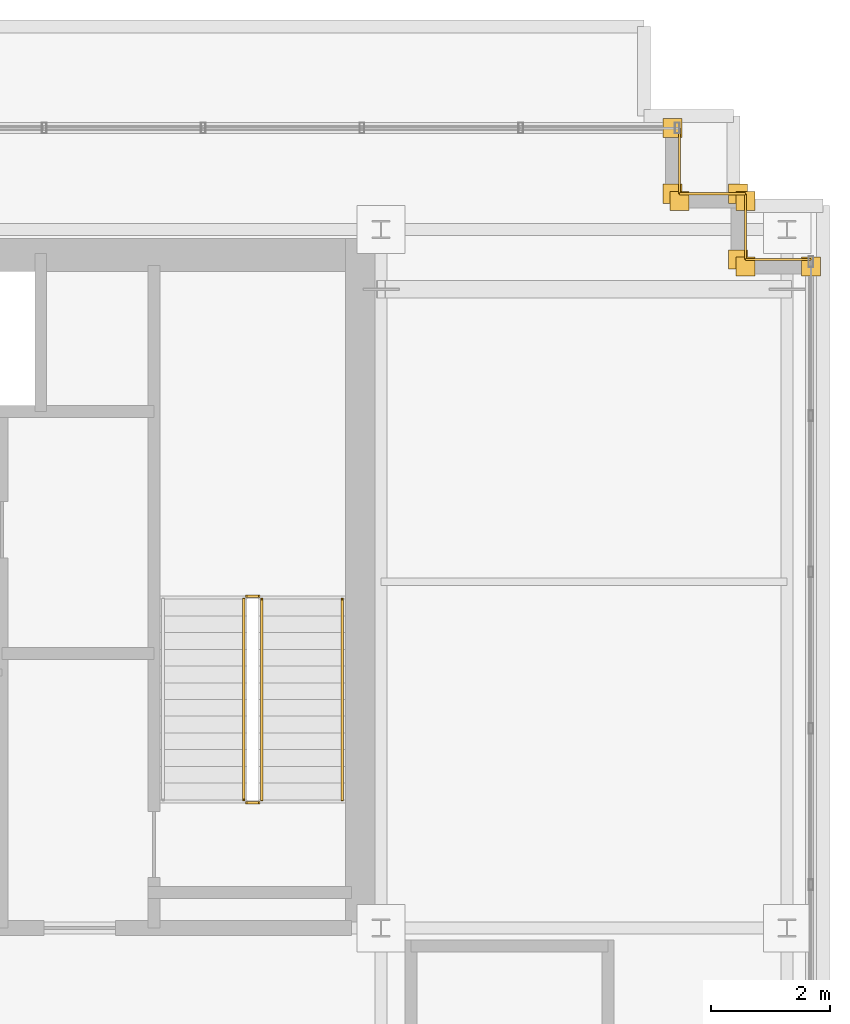
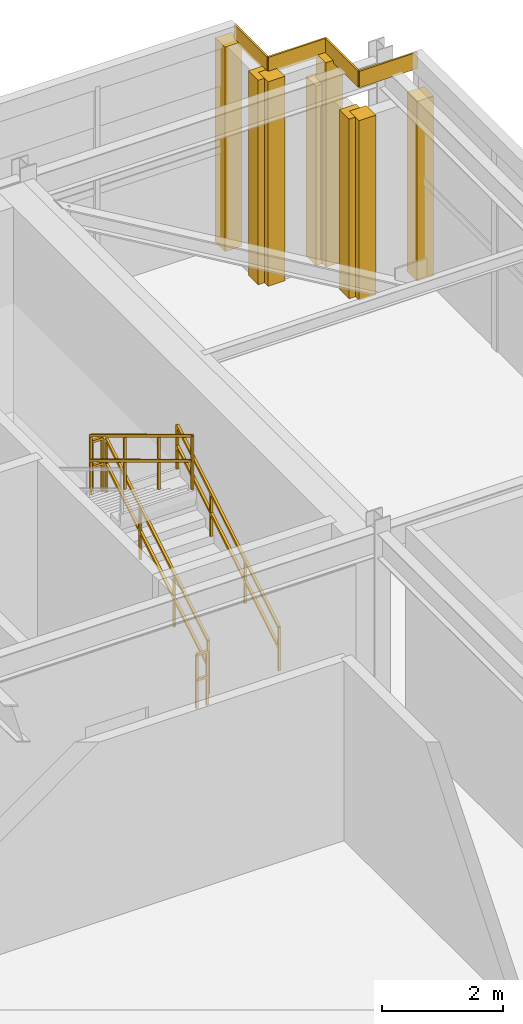
# One storey, part 38 of 38: 12 coverings, 5 railings.
"""IFC4 building model written with IfcOpenShell, lengths in metres."""

from ifc_helpers import new_model, si_unit, direction, frame, origin, origin_2d, place, context, subcontext, project, spatial, rectangle, extrude, source, transform, mapped, material, layer, layer_set, type_object, element, save


model = new_model("IFC4")

# Units and contexts
model_context = context("Model", 3, precision=1e-05, world=origin(), true_north=direction((0.0, 1.0)))
body_context = subcontext(model_context, "Body", "Model", "MODEL_VIEW")
ifc_project = project(units=[si_unit("LENGTHUNIT", "METRE"), si_unit("AREAUNIT", "SQUARE_METRE"), si_unit("VOLUMEUNIT", "CUBIC_METRE"), si_unit("PLANEANGLEUNIT", "RADIAN"), si_unit("MASSUNIT", "GRAM", prefix="KILO")], contexts=[model_context])

# Site, building, storey
site_placement = place(None, origin())
site = spatial("IfcSite", under=ifc_project, at=site_placement, CompositionType="ELEMENT")
building_placement = place(site_placement, origin())
building = spatial("IfcBuilding", under=site, at=building_placement, Name="Trelvane Seafront Commons", CompositionType="ELEMENT")
storey_placement = place(building_placement, frame((0.0, 0.0, 299.10009765625)))
storey = spatial("IfcBuildingStorey", under=building, at=storey_placement, Name="L78", CompositionType="ELEMENT", Elevation=299.10009765625)

# Railings
ifc_material_1 = material(Name="Stainless steel balustrade", Category="steel")
railing_type_1 = type_object("IfcRailingType", Name="ARCH-SRL-GUARD", PredefinedType="GUARDRAIL", material=ifc_material_1)
railing_1_placement = place(storey_placement, frame((56.800048828125, 35.550048828125, 0.169189453125)))
element("IfcRailing", 1, at=railing_1_placement, inside=storey, type_object=railing_type_1, Name="L78 ST-2 stair guard 1", PredefinedType="GUARDRAIL", context=body_context, shape_type="SweptSolid", body=[
    extrude(rectangle(XDim=0.048095703125, YDim=0.048095703125, at=origin_2d()), frame((0.0, 0.0, 1.076171875), z_axis=(0.0, 0.855820338506, 0.51727318527), x_axis=(-1.0, 0.0, 0.0)), (0.0, 0.0, 1.0), 3.92578125),
    extrude(rectangle(XDim=0.048095703125, YDim=0.048095703125, at=origin_2d()), frame((0.0, 0.0, 0.572021484375), z_axis=(0.0, 0.855820338506, 0.51727318527), x_axis=(-1.0, 0.0, 0.0)), (0.0, 0.0, 1.0), 3.92578125),
    extrude(rectangle(XDim=0.0419921875, YDim=0.0419921875, at=origin_2d()), origin(), (0.0, 0.0, 1.0), 1.076171875),
    extrude(rectangle(XDim=0.0419921875, YDim=0.0419921875, at=origin_2d()), frame((0.0, 1.119873046875, 0.677001953125)), (0.0, 0.0, 1.0), 1.076171875),
    extrude(rectangle(XDim=0.0419921875, YDim=0.0419921875, at=origin_2d()), frame((0.0, 2.239990234375, 1.353759765625)), (0.0, 0.0, 1.0), 1.076171875),
    extrude(rectangle(XDim=0.0419921875, YDim=0.0419921875, at=origin_2d()), frame((0.0, 3.35986328125, 2.03076171875)), (0.0, 0.0, 1.0), 1.076171875),
])
railing_2_placement = place(storey_placement, frame((56.75, 38.9599609375, 2.199951171875)))
element("IfcRailing", 2, at=railing_2_placement, inside=storey, type_object=railing_type_1, Name="L78 ST-2 stair guard 2", PredefinedType="GUARDRAIL", context=body_context, shape_type="SweptSolid", body=[
    extrude(rectangle(XDim=0.048095703125, YDim=0.048095703125, at=origin_2d()), frame((0.0, 0.0, 1.076171875), z_axis=(-1.0, 0.0, 0.0), x_axis=(0.0, -1.0, 0.0)), (0.0, 0.0, 1.0), 0.199951171875),
    extrude(rectangle(XDim=0.048095703125, YDim=0.048095703125, at=origin_2d()), frame((0.0, 0.0, 0.572021484375), z_axis=(-1.0, 0.0, 0.0), x_axis=(0.0, -1.0, 0.0)), (0.0, 0.0, 1.0), 0.199951171875),
    extrude(rectangle(XDim=0.0419921875, YDim=0.0419921875, at=origin_2d()), origin(), (0.0, 0.0, 1.0), 1.076171875),
    extrude(rectangle(XDim=0.0419921875, YDim=0.0419921875, at=origin_2d()), frame((-0.199951171875, 0.0, 0.0)), (0.0, 0.0, 1.0), 1.076171875),
])
railing_3_placement = place(storey_placement, frame((56.5, 38.909912109375, 2.369140625)))
element("IfcRailing", 3, at=railing_3_placement, inside=storey, type_object=railing_type_1, Name="L78 ST-2 stair guard 3", PredefinedType="GUARDRAIL", context=body_context, shape_type="SweptSolid", body=[
    extrude(rectangle(XDim=0.048095703125, YDim=0.048095703125, at=origin_2d()), frame((0.0, 0.0, 1.076171875), z_axis=(0.0, -0.855820338506, 0.51727318527), x_axis=(1.0, 0.0, 0.0)), (0.0, 0.0, 1.0), 3.92578125),
    extrude(rectangle(XDim=0.048095703125, YDim=0.048095703125, at=origin_2d()), frame((0.0, 0.0, 0.572021484375), z_axis=(0.0, -0.855820338506, 0.51727318527), x_axis=(1.0, 0.0, 0.0)), (0.0, 0.0, 1.0), 3.92578125),
    extrude(rectangle(XDim=0.0419921875, YDim=0.0419921875, at=origin_2d()), origin(), (0.0, 0.0, 1.0), 1.076171875),
    extrude(rectangle(XDim=0.0419921875, YDim=0.0419921875, at=origin_2d()), frame((0.0, -1.119873046875, 0.677001953125)), (0.0, 0.0, 1.0), 1.076171875),
    extrude(rectangle(XDim=0.0419921875, YDim=0.0419921875, at=origin_2d()), frame((0.0, -2.239990234375, 1.353759765625)), (0.0, 0.0, 1.0), 1.076171875),
    extrude(rectangle(XDim=0.0419921875, YDim=0.0419921875, at=origin_2d()), frame((0.0, -3.35986328125, 2.03076171875)), (0.0, 0.0, 1.0), 1.076171875),
])
railing_4_placement = place(storey_placement, frame((56.75, 35.5, 0.0)))
element("IfcRailing", 4, at=railing_4_placement, inside=storey, type_object=railing_type_1, Name="L78 ST-2 stair guard 4", PredefinedType="GUARDRAIL", context=body_context, shape_type="SweptSolid", body=[
    extrude(rectangle(XDim=0.048095703125, YDim=0.048095703125, at=origin_2d()), frame((0.0, 0.0, 1.076171875), z_axis=(-1.0, 0.0, 0.0), x_axis=(0.0, -1.0, 0.0)), (0.0, 0.0, 1.0), 0.199951171875),
    extrude(rectangle(XDim=0.048095703125, YDim=0.048095703125, at=origin_2d()), frame((0.0, 0.0, 0.572021484375), z_axis=(-1.0, 0.0, 0.0), x_axis=(0.0, -1.0, 0.0)), (0.0, 0.0, 1.0), 0.199951171875),
    extrude(rectangle(XDim=0.0419921875, YDim=0.0419921875, at=origin_2d()), origin(), (0.0, 0.0, 1.0), 1.076171875),
    extrude(rectangle(XDim=0.0419921875, YDim=0.0419921875, at=origin_2d()), frame((-0.199951171875, 0.0, 0.0)), (0.0, 0.0, 1.0), 1.076171875),
])
railing_type_2 = type_object("IfcRailingType", Name="ARCH-SRL-HAND", PredefinedType="HANDRAIL", material=ifc_material_1)
railing_5_placement = place(storey_placement, frame((58.14990234375, 35.550048828125, 0.169189453125)))
element("IfcRailing", 5, at=railing_5_placement, inside=storey, type_object=railing_type_2, Name="L78 ST-2 stair handrail 1", PredefinedType="HANDRAIL", context=body_context, shape_type="SweptSolid", body=[
    extrude(rectangle(XDim=0.048095703125, YDim=0.048095703125, at=origin_2d()), frame((0.0, 0.0, 0.8759765625), z_axis=(0.0, 0.855820338506, 0.51727318527), x_axis=(-1.0, 0.0, 0.0)), (0.0, 0.0, 1.0), 3.92578125),
    extrude(rectangle(XDim=0.048095703125, YDim=0.048095703125, at=origin_2d()), frame((0.0, 0.0, 0.468017578125), z_axis=(0.0, 0.855820338506, 0.51727318527), x_axis=(-1.0, 0.0, 0.0)), (0.0, 0.0, 1.0), 3.92578125),
    extrude(rectangle(XDim=0.0419921875, YDim=0.0419921875, at=origin_2d()), origin(), (0.0, 0.0, 1.0), 0.8759765625),
    extrude(rectangle(XDim=0.0419921875, YDim=0.0419921875, at=origin_2d()), frame((0.0, 1.119873046875, 0.677001953125)), (0.0, 0.0, 1.0), 0.8759765625),
    extrude(rectangle(XDim=0.0419921875, YDim=0.0419921875, at=origin_2d()), frame((0.0, 2.239990234375, 1.353759765625)), (0.0, 0.0, 1.0), 0.8759765625),
    extrude(rectangle(XDim=0.0419921875, YDim=0.0419921875, at=origin_2d()), frame((0.0, 3.35986328125, 2.03076171875)), (0.0, 0.0, 1.0), 0.8759765625),
])

# Coverings
ifc_material_2 = material(Name="Anodised pale-silver aluminium", Category="aluminium")
ifc_layer = layer(ifc_material_2, 0.034912109375, Name="ARCH-COV-CLAD35")
ifc_layer_set = layer_set([ifc_layer], Name="Anodised pale-silver aluminium")
covering_type = type_object("IfcCoveringType", Name="ARCH-COV-CLAD35", PredefinedType="CLADDING", material=ifc_layer_set)
shared_shape_1 = source(origin(), body_context, "Body", "SweptSolid", [
    extrude(rectangle(XDim=0.320068359375, YDim=0.320068359375, at=origin_2d()), origin(), (0.0, 0.0, 1.0), 4.1201171875),
])
for number, where, z_axis, x_axis, name in (
    (6, (63.679931640625, 46.800048828125, -0.000244140625), (0.0, 0.0, 1.0), (1.0, 0.0, 0.0), "CLD-CP-L78-00338"),
    (7, (63.679931640625, 45.699951171875, -0.000244140625), (0.0, 0.0, 1.0), (1.0, 0.0, 0.0), "CLD-CP-L78-00339"),
    (8, (63.800048828125, 45.580078125, -0.000244140625), (0.0, 0.0, 1.0), (1.0, 0.0, 0.0), "CLD-CP-L78-00341"),
    (9, (64.89990234375, 45.580078125, -0.000244140625), (0.0, 0.0, 1.0), (1.0, 0.0, 0.0), "CLD-CP-L78-00342"),
):
    element("IfcCovering", number, at=place(storey_placement, frame(where, z_axis=z_axis, x_axis=x_axis)), inside=storey, type_object=covering_type, Name=name, PredefinedType="CLADDING", context=body_context, shape_type="MappedRepresentation", body=[
        mapped(shared_shape_1, transform((0.0, 0.0, 0.0), x_axis=(1.0, 0.0, 0.0), y_axis=(0.0, 1.0, 0.0), z_axis=(0.0, 0.0, 1.0), scale=1.0)),
    ])
shared_shape_2 = source(origin(), body_context, "Body", "SweptSolid", [
    extrude(rectangle(XDim=1.10009765625, YDim=0.034912109375, at=origin_2d()), origin(), (0.0, 0.0, 1.0), 0.330078125),
])
for number, where, z_axis, x_axis, name in (
    (10, (63.800048828125, 46.25, 4.06982421875), (0.0, 0.0, 1.0), (0.0, -1.0, 0.0), "CLD-L78-0340"),
    (11, (64.35009765625, 45.699951171875, 4.06982421875), (0.0, 0.0, 1.0), (1.0, 0.0, 0.0), "CLD-L78-0343"),
    (12, (64.89990234375, 45.14990234375, 4.06982421875), (0.0, 0.0, 1.0), (0.0, -1.0, 0.0), "CLD-L78-0346"),
    (13, (65.449951171875, 44.60009765625, 4.06982421875), (0.0, 0.0, 1.0), (1.0, 0.0, 0.0), "CLD-L78-0349"),
):
    element("IfcCovering", number, at=place(storey_placement, frame(where, z_axis=z_axis, x_axis=x_axis)), inside=storey, type_object=covering_type, Name=name, PredefinedType="CLADDING", context=body_context, shape_type="MappedRepresentation", body=[
        mapped(shared_shape_2, transform((0.0, 0.0, 0.0), x_axis=(1.0, 0.0, 0.0), y_axis=(0.0, 1.0, 0.0), z_axis=(0.0, 0.0, 1.0), scale=1.0)),
    ])
shared_shape_3 = source(origin(), body_context, "Body", "SweptSolid", [
    extrude(rectangle(XDim=0.320068359375, YDim=0.320068359375, at=origin_2d()), origin(), (0.0, 0.0, 1.0), 3.6201171875),
])
for number, where, z_axis, x_axis, name in (
    (14, (64.780029296875, 45.699951171875, -0.000244140625), (0.0, 0.0, 1.0), (1.0, 0.0, 0.0), "CLD-CP-L78-00344"),
    (15, (64.780029296875, 44.60009765625, -0.000244140625), (0.0, 0.0, 1.0), (1.0, 0.0, 0.0), "CLD-CP-L78-00345"),
    (16, (64.89990234375, 44.47998046875, -0.000244140625), (0.0, 0.0, 1.0), (1.0, 0.0, 0.0), "CLD-CP-L78-00347"),
    (17, (66.0, 44.47998046875, -0.000244140625), (0.0, 0.0, 1.0), (1.0, 0.0, 0.0), "CLD-CP-L78-00348"),
):
    element("IfcCovering", number, at=place(storey_placement, frame(where, z_axis=z_axis, x_axis=x_axis)), inside=storey, type_object=covering_type, Name=name, PredefinedType="CLADDING", context=body_context, shape_type="MappedRepresentation", body=[
        mapped(shared_shape_3, transform((0.0, 0.0, 0.0), x_axis=(1.0, 0.0, 0.0), y_axis=(0.0, 1.0, 0.0), z_axis=(0.0, 0.0, 1.0), scale=1.0)),
    ])

save(model, "model.ifc")
